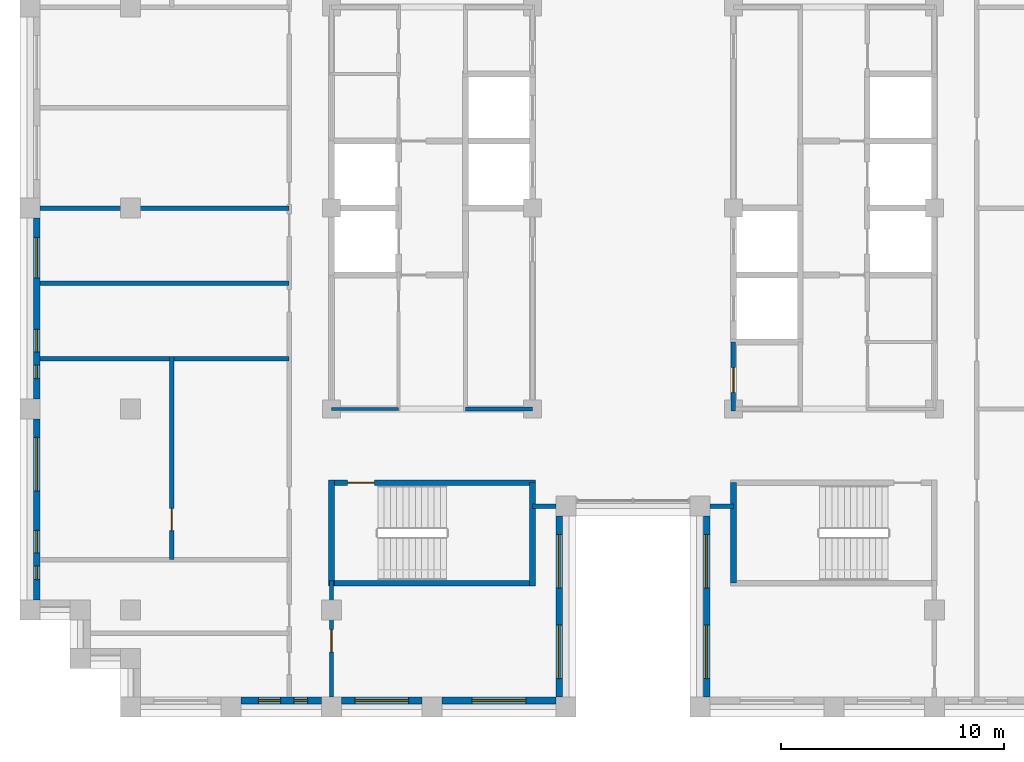
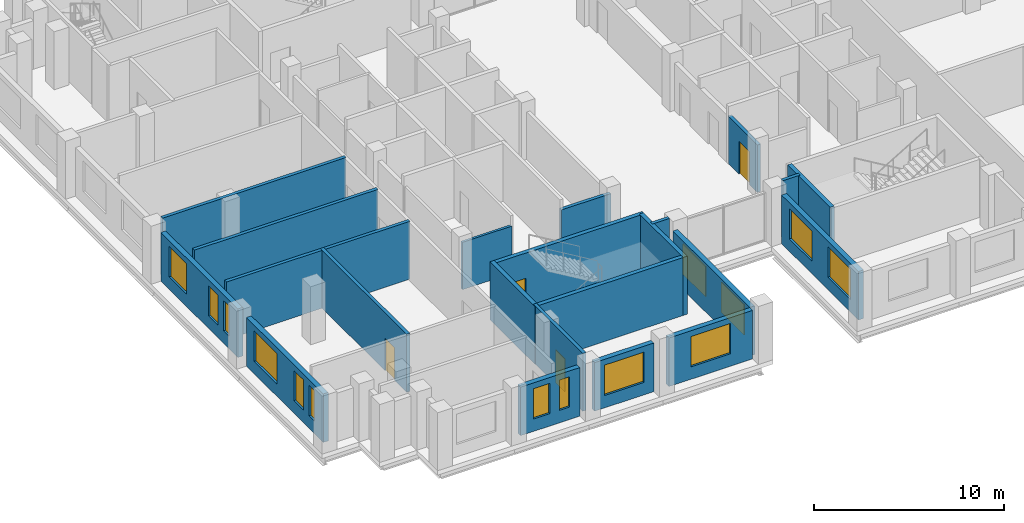
# One storey, part 6 of 13: 22 walls, 14 windows, 4 doors, 18 openings.
"""IFC4 building model written with IfcOpenShell, lengths in metres."""

from ifc_helpers import new_model, si_unit, direction, frame, frame_2d, origin, place, context, subcontext, project, spatial, rectangle, extrude, material, layer, layer_set, type_object, element, fill, save


model = new_model("IFC4")

# Units and contexts
model_context = context("Model", 3, precision=1e-05, world=origin(), true_north=direction((0.0, 1.0)))
body_context = subcontext(model_context, "Body", "Model", "MODEL_VIEW")
ifc_project = project(units=[si_unit("LENGTHUNIT", "METRE"), si_unit("AREAUNIT", "SQUARE_METRE"), si_unit("VOLUMEUNIT", "CUBIC_METRE"), si_unit("PLANEANGLEUNIT", "RADIAN"), si_unit("MASSUNIT", "GRAM", prefix="KILO")], contexts=[model_context])

# Site, building, storey
site_placement = place(None, origin())
site = spatial("IfcSite", under=ifc_project, at=site_placement, CompositionType="ELEMENT")
building_placement = place(site_placement, origin())
building = spatial("IfcBuilding", under=site, at=building_placement, Name="Corbelhall Arena Tower", CompositionType="ELEMENT")
storey_placement = place(building_placement, frame((0.0, 0.0, 282.0)))
storey = spatial("IfcBuildingStorey", under=building, at=storey_placement, Name="L61", CompositionType="ELEMENT", Elevation=282.0)

# Wall, openings, windows
ifc_material_1 = material(Name="Precast concrete C40/50 with granite facing", Category="masonry")
ifc_layer_1 = layer(ifc_material_1, 0.300048828125)
ifc_layer_set_1 = layer_set([ifc_layer_1], Name="EV-IW1 Infill panel 300")
wall_type_1 = type_object("IfcWallType", Name="EV-IW1 Infill panel 300", PredefinedType="SOLIDWALL", material=ifc_layer_set_1)
wall_1_placement = place(storey_placement, frame((-26.699951171875, -0.449951171875, 0.0), z_axis=(0.0, 0.0, 1.0), x_axis=(0.0, -1.0, 0.0)))
wall_1 = element("IfcWall", 1, at=wall_1_placement, inside=storey, type_object=wall_type_1, Name="Infill panel IW1", PredefinedType="SOLIDWALL", context=body_context, shape_type="SweptSolid", body=[
    extrude(rectangle(XDim=8.10009765625, YDim=0.300048828125, at=frame_2d((4.050048828125, 0.0))), origin(), (0.0, 0.0, 1.0), 3.1201171875),
])
opening_1_placement = place(wall_1_placement, frame((0.875, 0.0, 0.800048828125)))
opening_1 = element("IfcOpeningElement", 2, at=opening_1_placement, cuts=wall_1, Name="Opening WN8", PredefinedType="OPENING", context=body_context, shape_type="SweptSolid", body=[
    extrude(rectangle(XDim=1.800048828125, YDim=1.949951171875, at=frame_2d((0.89990234375, 0.97509765625))), frame((0.0, 0.14990234375, 0.0), z_axis=(0.0, -1.0, 0.0), x_axis=(1.0, 0.0, 0.0)), (0.0, 0.0, 1.0), 0.300048828125),
])
opening_2_placement = place(wall_1_placement, frame((4.987548828125, 0.0, 0.800048828125)))
opening_2 = element("IfcOpeningElement", 3, at=opening_2_placement, cuts=wall_1, Name="Opening WN6", PredefinedType="OPENING", context=body_context, shape_type="SweptSolid", body=[
    extrude(rectangle(XDim=1.0, YDim=1.949951171875, at=frame_2d((0.5, 0.97509765625))), frame((0.0, 0.14990234375, 0.0), z_axis=(0.0, -1.0, 0.0), x_axis=(1.0, 0.0, 0.0)), (0.0, 0.0, 1.0), 0.300048828125),
])
opening_3_placement = place(wall_1_placement, frame((6.58740234375, 0.0, 0.800048828125)))
opening_3 = element("IfcOpeningElement", 4, at=opening_3_placement, cuts=wall_1, Name="Opening WN5", PredefinedType="OPENING", context=body_context, shape_type="SweptSolid", body=[
    extrude(rectangle(XDim=0.60009765625, YDim=1.949951171875, at=frame_2d((0.300048828125, 0.97509765625))), frame((0.0, 0.14990234375, 0.0), z_axis=(0.0, -1.0, 0.0), x_axis=(1.0, 0.0, 0.0)), (0.0, 0.0, 1.0), 0.300048828125),
])
ifc_material_2 = material(Name="Aluminium black anodised", Category="aluminium")
window_type_1 = type_object("IfcWindowType", Name="EV-WN5 Office window 600", PartitioningType="SINGLE_PANEL", PredefinedType="WINDOW", material=ifc_material_2)
window_1_placement = place(opening_3_placement, origin())
window_1 = element("IfcWindow", 5, at=window_1_placement, inside=storey, type_object=window_type_1, Name="Window WN5", OverallHeight=1.949951171875, OverallWidth=0.60009765625, PartitioningType="SINGLE_PANEL", PredefinedType="WINDOW", context=body_context, shape_type="SweptSolid", body=[
    extrude(rectangle(XDim=0.60009765625, YDim=1.949951171875, at=frame_2d((0.300048828125, 0.97509765625))), frame((0.0, 0.030029296875, 0.0), z_axis=(0.0, -1.0, 0.0), x_axis=(1.0, 0.0, 0.0)), (0.0, 0.0, 1.0), 0.06005859375),
])
fill(opening_3, window_1)
window_type_2 = type_object("IfcWindowType", Name="EV-WN6 Office window 1000", PartitioningType="SINGLE_PANEL", PredefinedType="WINDOW", material=ifc_material_2)
window_2_placement = place(opening_2_placement, origin())
window_2 = element("IfcWindow", 6, at=window_2_placement, inside=storey, type_object=window_type_2, Name="Window WN6", OverallHeight=1.949951171875, OverallWidth=1.0, PartitioningType="SINGLE_PANEL", PredefinedType="WINDOW", context=body_context, shape_type="SweptSolid", body=[
    extrude(rectangle(XDim=1.0, YDim=1.949951171875, at=frame_2d((0.5, 0.97509765625))), frame((0.0, 0.030029296875, 0.0), z_axis=(0.0, -1.0, 0.0), x_axis=(1.0, 0.0, 0.0)), (0.0, 0.0, 1.0), 0.06005859375),
])
fill(opening_2, window_2)
window_type_3 = type_object("IfcWindowType", Name="EV-WN8 Office window 1800", PartitioningType="SINGLE_PANEL", PredefinedType="WINDOW", material=ifc_material_2)
window_3_placement = place(opening_1_placement, origin())
window_3 = element("IfcWindow", 7, at=window_3_placement, inside=storey, type_object=window_type_3, Name="Window WN8", OverallHeight=1.949951171875, OverallWidth=1.800048828125, PartitioningType="SINGLE_PANEL", PredefinedType="WINDOW", context=body_context, shape_type="SweptSolid", body=[
    extrude(rectangle(XDim=1.800048828125, YDim=1.949951171875, at=frame_2d((0.89990234375, 0.97509765625))), frame((0.0, 0.030029296875, 0.0), z_axis=(0.0, -1.0, 0.0), x_axis=(1.0, 0.0, 0.0)), (0.0, 0.0, 1.0), 0.06005859375),
])
fill(opening_1, window_3)

wall_2_placement = place(storey_placement, frame((-26.699951171875, -9.449951171875, 0.0), z_axis=(0.0, 0.0, 1.0), x_axis=(0.0, -1.0, 0.0)))
wall_2 = element("IfcWall", 8, at=wall_2_placement, inside=storey, type_object=wall_type_1, Name="Infill panel IW1", PredefinedType="SOLIDWALL", context=body_context, shape_type="SweptSolid", body=[
    extrude(rectangle(XDim=8.10009765625, YDim=0.300048828125, at=frame_2d((4.050048828125, 0.0))), origin(), (0.0, 0.0, 1.0), 3.1201171875),
])
opening_4_placement = place(wall_2_placement, frame((0.824951171875, 0.0, 0.800048828125)))
opening_4 = element("IfcOpeningElement", 9, at=opening_4_placement, cuts=wall_2, Name="Opening WN1", PredefinedType="OPENING", context=body_context, shape_type="SweptSolid", body=[
    extrude(rectangle(XDim=2.39990234375, YDim=1.949951171875, at=frame_2d((1.199951171875, 0.97509765625))), frame((0.0, 0.14990234375, 0.0), z_axis=(0.0, -1.0, 0.0), x_axis=(1.0, 0.0, 0.0)), (0.0, 0.0, 1.0), 0.300048828125),
])
opening_5_placement = place(wall_2_placement, frame((4.987548828125, 0.0, 0.800048828125)))
opening_5 = element("IfcOpeningElement", 10, at=opening_5_placement, cuts=wall_2, Name="Opening WN6", PredefinedType="OPENING", context=body_context, shape_type="SweptSolid", body=[
    extrude(rectangle(XDim=1.0, YDim=1.949951171875, at=frame_2d((0.5, 0.97509765625))), frame((0.0, 0.14990234375, 0.0), z_axis=(0.0, -1.0, 0.0), x_axis=(1.0, 0.0, 0.0)), (0.0, 0.0, 1.0), 0.300048828125),
])
opening_6_placement = place(wall_2_placement, frame((6.58740234375, 0.0, 0.800048828125)))
opening_6 = element("IfcOpeningElement", 11, at=opening_6_placement, cuts=wall_2, Name="Opening WN5", PredefinedType="OPENING", context=body_context, shape_type="SweptSolid", body=[
    extrude(rectangle(XDim=0.60009765625, YDim=1.949951171875, at=frame_2d((0.300048828125, 0.97509765625))), frame((0.0, 0.14990234375, 0.0), z_axis=(0.0, -1.0, 0.0), x_axis=(1.0, 0.0, 0.0)), (0.0, 0.0, 1.0), 0.300048828125),
])
window_type_4 = type_object("IfcWindowType", Name="EV-WN1 Office window", PartitioningType="SINGLE_PANEL", PredefinedType="WINDOW", material=ifc_material_2)
window_4_placement = place(opening_4_placement, origin())
window_4 = element("IfcWindow", 12, at=window_4_placement, inside=storey, type_object=window_type_4, Name="Window WN1", OverallHeight=1.949951171875, OverallWidth=2.39990234375, PartitioningType="SINGLE_PANEL", PredefinedType="WINDOW", context=body_context, shape_type="SweptSolid", body=[
    extrude(rectangle(XDim=2.39990234375, YDim=1.949951171875, at=frame_2d((1.199951171875, 0.97509765625))), frame((0.0, 0.030029296875, 0.0), z_axis=(0.0, -1.0, 0.0), x_axis=(1.0, 0.0, 0.0)), (0.0, 0.0, 1.0), 0.06005859375),
])
fill(opening_4, window_4)
window_5_placement = place(opening_6_placement, origin())
window_5 = element("IfcWindow", 13, at=window_5_placement, inside=storey, type_object=window_type_1, Name="Window WN5", OverallHeight=1.949951171875, OverallWidth=0.60009765625, PartitioningType="SINGLE_PANEL", PredefinedType="WINDOW", context=body_context, shape_type="SweptSolid", body=[
    extrude(rectangle(XDim=0.60009765625, YDim=1.949951171875, at=frame_2d((0.300048828125, 0.97509765625))), frame((0.0, 0.030029296875, 0.0), z_axis=(0.0, -1.0, 0.0), x_axis=(1.0, 0.0, 0.0)), (0.0, 0.0, 1.0), 0.06005859375),
])
fill(opening_6, window_5)
window_6_placement = place(opening_5_placement, origin())
window_6 = element("IfcWindow", 14, at=window_6_placement, inside=storey, type_object=window_type_2, Name="Window WN6", OverallHeight=1.949951171875, OverallWidth=1.0, PartitioningType="SINGLE_PANEL", PredefinedType="WINDOW", context=body_context, shape_type="SweptSolid", body=[
    extrude(rectangle(XDim=1.0, YDim=1.949951171875, at=frame_2d((0.5, 0.97509765625))), frame((0.0, 0.030029296875, 0.0), z_axis=(0.0, -1.0, 0.0), x_axis=(1.0, 0.0, 0.0)), (0.0, 0.0, 1.0), 0.06005859375),
])
fill(opening_5, window_6)

wall_3_placement = place(storey_placement, frame((-17.550048828125, -22.050048828125, 0.0), z_axis=(0.0, 0.0, 1.0), x_axis=(1.0, 0.0, 0.0)))
wall_3 = element("IfcWall", 15, at=wall_3_placement, inside=storey, type_object=wall_type_1, Name="Infill panel IW1", PredefinedType="SOLIDWALL", context=body_context, shape_type="SweptSolid", body=[
    extrude(rectangle(XDim=3.60009765625, YDim=0.300048828125, at=frame_2d((1.800048828125, 0.0))), origin(), (0.0, 0.0, 1.0), 3.1201171875),
])
opening_7_placement = place(wall_3_placement, frame((0.77490234375, 0.0, 0.800048828125)))
opening_7 = element("IfcOpeningElement", 16, at=opening_7_placement, cuts=wall_3, Name="Opening WN6", PredefinedType="OPENING", context=body_context, shape_type="SweptSolid", body=[
    extrude(rectangle(XDim=1.0, YDim=1.949951171875, at=frame_2d((0.5, 0.97509765625))), frame((0.0, 0.14990234375, 0.0), z_axis=(0.0, -1.0, 0.0), x_axis=(1.0, 0.0, 0.0)), (0.0, 0.0, 1.0), 0.300048828125),
])
opening_8_placement = place(wall_3_placement, frame((2.375, 0.0, 0.800048828125)))
opening_8 = element("IfcOpeningElement", 17, at=opening_8_placement, cuts=wall_3, Name="Opening WN5", PredefinedType="OPENING", context=body_context, shape_type="SweptSolid", body=[
    extrude(rectangle(XDim=0.60009765625, YDim=1.949951171875, at=frame_2d((0.300048828125, 0.97509765625))), frame((0.0, 0.14990234375, 0.0), z_axis=(0.0, -1.0, 0.0), x_axis=(1.0, 0.0, 0.0)), (0.0, 0.0, 1.0), 0.300048828125),
])
window_7_placement = place(opening_8_placement, origin())
window_7 = element("IfcWindow", 18, at=window_7_placement, inside=storey, type_object=window_type_1, Name="Window WN5", OverallHeight=1.949951171875, OverallWidth=0.60009765625, PartitioningType="SINGLE_PANEL", PredefinedType="WINDOW", context=body_context, shape_type="SweptSolid", body=[
    extrude(rectangle(XDim=0.60009765625, YDim=1.949951171875, at=frame_2d((0.300048828125, 0.97509765625))), frame((0.0, 0.030029296875, 0.0), z_axis=(0.0, -1.0, 0.0), x_axis=(1.0, 0.0, 0.0)), (0.0, 0.0, 1.0), 0.06005859375),
])
fill(opening_8, window_7)
window_8_placement = place(opening_7_placement, origin())
window_8 = element("IfcWindow", 19, at=window_8_placement, inside=storey, type_object=window_type_2, Name="Window WN6", OverallHeight=1.949951171875, OverallWidth=1.0, PartitioningType="SINGLE_PANEL", PredefinedType="WINDOW", context=body_context, shape_type="SweptSolid", body=[
    extrude(rectangle(XDim=1.0, YDim=1.949951171875, at=frame_2d((0.5, 0.97509765625))), frame((0.0, 0.030029296875, 0.0), z_axis=(0.0, -1.0, 0.0), x_axis=(1.0, 0.0, 0.0)), (0.0, 0.0, 1.0), 0.06005859375),
])
fill(opening_7, window_8)

# Wall, opening, window
wall_4_placement = place(storey_placement, frame((-13.050048828125, -22.050048828125, 0.0), z_axis=(0.0, 0.0, 1.0), x_axis=(1.0, 0.0, 0.0)))
wall_4 = element("IfcWall", 20, at=wall_4_placement, inside=storey, type_object=wall_type_1, Name="Infill panel IW1", PredefinedType="SOLIDWALL", context=body_context, shape_type="SweptSolid", body=[
    extrude(rectangle(XDim=3.60009765625, YDim=0.300048828125, at=frame_2d((1.800048828125, 0.0))), origin(), (0.0, 0.0, 1.0), 3.1201171875),
])
opening_9_placement = place(wall_4_placement, frame((0.60009765625, 0.0, 0.800048828125)))
opening_9 = element("IfcOpeningElement", 21, at=opening_9_placement, cuts=wall_4, Name="Opening WN1", PredefinedType="OPENING", context=body_context, shape_type="SweptSolid", body=[
    extrude(rectangle(XDim=2.39990234375, YDim=1.949951171875, at=frame_2d((1.199951171875, 0.97509765625))), frame((0.0, 0.14990234375, 0.0), z_axis=(0.0, -1.0, 0.0), x_axis=(1.0, 0.0, 0.0)), (0.0, 0.0, 1.0), 0.300048828125),
])
window_9_placement = place(opening_9_placement, origin())
window_9 = element("IfcWindow", 22, at=window_9_placement, inside=storey, type_object=window_type_4, Name="Window WN1", OverallHeight=1.949951171875, OverallWidth=2.39990234375, PartitioningType="SINGLE_PANEL", PredefinedType="WINDOW", context=body_context, shape_type="SweptSolid", body=[
    extrude(rectangle(XDim=2.39990234375, YDim=1.949951171875, at=frame_2d((1.199951171875, 0.97509765625))), frame((0.0, 0.030029296875, 0.0), z_axis=(0.0, -1.0, 0.0), x_axis=(1.0, 0.0, 0.0)), (0.0, 0.0, 1.0), 0.06005859375),
])
fill(opening_9, window_9)

wall_5_placement = place(storey_placement, frame((-8.550048828125, -22.050048828125, 0.0), z_axis=(0.0, 0.0, 1.0), x_axis=(1.0, 0.0, 0.0)))
wall_5 = element("IfcWall", 23, at=wall_5_placement, inside=storey, type_object=wall_type_1, Name="Infill panel IW1", PredefinedType="SOLIDWALL", context=body_context, shape_type="SweptSolid", body=[
    extrude(rectangle(XDim=5.10009765625, YDim=0.300048828125, at=frame_2d((2.550048828125, 0.0))), origin(), (0.0, 0.0, 1.0), 3.1201171875),
])
opening_10_placement = place(wall_5_placement, frame((1.35009765625, 0.0, 0.800048828125)))
opening_10 = element("IfcOpeningElement", 24, at=opening_10_placement, cuts=wall_5, Name="Opening WN1", PredefinedType="OPENING", context=body_context, shape_type="SweptSolid", body=[
    extrude(rectangle(XDim=2.39990234375, YDim=1.949951171875, at=frame_2d((1.199951171875, 0.97509765625))), frame((0.0, 0.14990234375, 0.0), z_axis=(0.0, -1.0, 0.0), x_axis=(1.0, 0.0, 0.0)), (0.0, 0.0, 1.0), 0.300048828125),
])
window_10_placement = place(opening_10_placement, origin())
window_10 = element("IfcWindow", 25, at=window_10_placement, inside=storey, type_object=window_type_4, Name="Window WN1", OverallHeight=1.949951171875, OverallWidth=2.39990234375, PartitioningType="SINGLE_PANEL", PredefinedType="WINDOW", context=body_context, shape_type="SweptSolid", body=[
    extrude(rectangle(XDim=2.39990234375, YDim=1.949951171875, at=frame_2d((1.199951171875, 0.97509765625))), frame((0.0, 0.030029296875, 0.0), z_axis=(0.0, -1.0, 0.0), x_axis=(1.0, 0.0, 0.0)), (0.0, 0.0, 1.0), 0.06005859375),
])
fill(opening_10, window_10)

# Wall, openings, windows
wall_6_placement = place(storey_placement, frame((-3.300048828125, -21.89990234375, 0.0), z_axis=(0.0, 0.0, 1.0), x_axis=(0.0, 1.0, 0.0)))
wall_6 = element("IfcWall", 26, at=wall_6_placement, inside=storey, type_object=wall_type_1, Name="Infill panel IW1", PredefinedType="SOLIDWALL", context=body_context, shape_type="SweptSolid", body=[
    extrude(rectangle(XDim=8.099853515625, YDim=0.300048828125, at=frame_2d((4.0498046875, 0.0))), origin(), (0.0, 0.0, 1.0), 3.1201171875),
])
opening_11_placement = place(wall_6_placement, frame((0.824951171875, 0.0, 0.800048828125)))
opening_11 = element("IfcOpeningElement", 27, at=opening_11_placement, cuts=wall_6, Name="Opening WN1", PredefinedType="OPENING", context=body_context, shape_type="SweptSolid", body=[
    extrude(rectangle(XDim=2.39990234375, YDim=1.949951171875, at=frame_2d((1.199951171875, 0.97509765625))), frame((0.0, 0.14990234375, 0.0), z_axis=(0.0, -1.0, 0.0), x_axis=(1.0, 0.0, 0.0)), (0.0, 0.0, 1.0), 0.300048828125),
])
opening_12_placement = place(wall_6_placement, frame((4.875, 0.0, 0.800048828125)))
opening_12 = element("IfcOpeningElement", 28, at=opening_12_placement, cuts=wall_6, Name="Opening WN1", PredefinedType="OPENING", context=body_context, shape_type="SweptSolid", body=[
    extrude(rectangle(XDim=2.39990234375, YDim=1.949951171875, at=frame_2d((1.199951171875, 0.97509765625))), frame((0.0, 0.14990234375, 0.0), z_axis=(0.0, -1.0, 0.0), x_axis=(1.0, 0.0, 0.0)), (0.0, 0.0, 1.0), 0.300048828125),
])
window_11_placement = place(opening_11_placement, origin())
window_11 = element("IfcWindow", 29, at=window_11_placement, inside=storey, type_object=window_type_4, Name="Window WN1", OverallHeight=1.949951171875, OverallWidth=2.39990234375, PartitioningType="SINGLE_PANEL", PredefinedType="WINDOW", context=body_context, shape_type="SweptSolid", body=[
    extrude(rectangle(XDim=2.39990234375, YDim=1.949951171875, at=frame_2d((1.199951171875, 0.97509765625))), frame((0.0, 0.030029296875, 0.0), z_axis=(0.0, -1.0, 0.0), x_axis=(1.0, 0.0, 0.0)), (0.0, 0.0, 1.0), 0.06005859375),
])
fill(opening_11, window_11)
window_12_placement = place(opening_12_placement, origin())
window_12 = element("IfcWindow", 30, at=window_12_placement, inside=storey, type_object=window_type_4, Name="Window WN1", OverallHeight=1.949951171875, OverallWidth=2.39990234375, PartitioningType="SINGLE_PANEL", PredefinedType="WINDOW", context=body_context, shape_type="SweptSolid", body=[
    extrude(rectangle(XDim=2.39990234375, YDim=1.949951171875, at=frame_2d((1.199951171875, 0.97509765625))), frame((0.0, 0.030029296875, 0.0), z_axis=(0.0, -1.0, 0.0), x_axis=(1.0, 0.0, 0.0)), (0.0, 0.0, 1.0), 0.06005859375),
])
fill(opening_12, window_12)

wall_7_placement = place(storey_placement, frame((3.300048828125, -13.800048828125, 0.0), z_axis=(0.0, 0.0, 1.0), x_axis=(0.0, -1.0, 0.0)))
wall_7 = element("IfcWall", 31, at=wall_7_placement, inside=storey, type_object=wall_type_1, Name="Infill panel IW1", PredefinedType="SOLIDWALL", context=body_context, shape_type="SweptSolid", body=[
    extrude(rectangle(XDim=8.099853515625, YDim=0.300048828125, at=frame_2d((4.0498046875, 0.0))), origin(), (0.0, 0.0, 1.0), 3.1201171875),
])
opening_13_placement = place(wall_7_placement, frame((0.824951171875, 0.0, 0.800048828125)))
opening_13 = element("IfcOpeningElement", 32, at=opening_13_placement, cuts=wall_7, Name="Opening WN1", PredefinedType="OPENING", context=body_context, shape_type="SweptSolid", body=[
    extrude(rectangle(XDim=2.39990234375, YDim=1.949951171875, at=frame_2d((1.199951171875, 0.97509765625))), frame((0.0, 0.14990234375, 0.0), z_axis=(0.0, -1.0, 0.0), x_axis=(1.0, 0.0, 0.0)), (0.0, 0.0, 1.0), 0.300048828125),
])
opening_14_placement = place(wall_7_placement, frame((4.875, 0.0, 0.800048828125)))
opening_14 = element("IfcOpeningElement", 33, at=opening_14_placement, cuts=wall_7, Name="Opening WN1", PredefinedType="OPENING", context=body_context, shape_type="SweptSolid", body=[
    extrude(rectangle(XDim=2.39990234375, YDim=1.949951171875, at=frame_2d((1.199951171875, 0.97509765625))), frame((0.0, 0.14990234375, 0.0), z_axis=(0.0, -1.0, 0.0), x_axis=(1.0, 0.0, 0.0)), (0.0, 0.0, 1.0), 0.300048828125),
])
window_13_placement = place(opening_13_placement, origin())
window_13 = element("IfcWindow", 34, at=window_13_placement, inside=storey, type_object=window_type_4, Name="Window WN1", OverallHeight=1.949951171875, OverallWidth=2.39990234375, PartitioningType="SINGLE_PANEL", PredefinedType="WINDOW", context=body_context, shape_type="SweptSolid", body=[
    extrude(rectangle(XDim=2.39990234375, YDim=1.949951171875, at=frame_2d((1.199951171875, 0.97509765625))), frame((0.0, 0.030029296875, 0.0), z_axis=(0.0, -1.0, 0.0), x_axis=(1.0, 0.0, 0.0)), (0.0, 0.0, 1.0), 0.06005859375),
])
fill(opening_13, window_13)
window_14_placement = place(opening_14_placement, origin())
window_14 = element("IfcWindow", 35, at=window_14_placement, inside=storey, type_object=window_type_4, Name="Window WN1", OverallHeight=1.949951171875, OverallWidth=2.39990234375, PartitioningType="SINGLE_PANEL", PredefinedType="WINDOW", context=body_context, shape_type="SweptSolid", body=[
    extrude(rectangle(XDim=2.39990234375, YDim=1.949951171875, at=frame_2d((1.199951171875, 0.97509765625))), frame((0.0, 0.030029296875, 0.0), z_axis=(0.0, -1.0, 0.0), x_axis=(1.0, 0.0, 0.0)), (0.0, 0.0, 1.0), 0.06005859375),
])
fill(opening_14, window_14)

# Walls
ifc_material_3 = material(Name="Gypsum board on steel stud, acoustic", Category="steel")
ifc_layer_2 = layer(ifc_material_3, 0.199951171875)
ifc_layer_set_2 = layer_set([ifc_layer_2], Name="IN-W-DM200")
wall_type_2 = type_object("IfcWallType", Name="IN-W-DM200", PredefinedType="PARTITIONING", material=ifc_layer_set_2)
for number, where, z_axis, x_axis, name in (
    (36, (-26.550048828125, -6.75, 0.0), (0.0, 0.0, 1.0), (1.0, 0.0, 0.0), "Partition 002"),
    (37, (-26.550048828125, -3.375, 0.0), (0.0, 0.0, 1.0), (1.0, 0.0, 0.0), "Partition 003"),
):
    element("IfcWall", number, at=place(storey_placement, frame(where, z_axis=z_axis, x_axis=x_axis)), inside=storey, type_object=wall_type_2, Name=name, PredefinedType="PARTITIONING", context=body_context, shape_type="SweptSolid", body=[
        extrude(rectangle(XDim=11.150146484375, YDim=0.199951171875, at=frame_2d((5.5751953125, 0.0))), origin(), (0.0, 0.0, 1.0), 3.719970703125),
    ])

# Wall, opening, door
wall_8_placement = place(storey_placement, frame((-20.64990234375, -15.75, 0.0), z_axis=(0.0, 0.0, 1.0), x_axis=(0.0, 1.0, 0.0)))
wall_8 = element("IfcWall", 38, at=wall_8_placement, inside=storey, type_object=wall_type_2, Name="Partition 008", PredefinedType="PARTITIONING", context=body_context, shape_type="SweptSolid", body=[
    extrude(rectangle(XDim=9.10009765625, YDim=0.199951171875, at=frame_2d((4.550048828125, 0.0))), origin(), (0.0, 0.0, 1.0), 3.719970703125),
])
opening_15_placement = place(wall_8_placement, frame((1.300048828125, 0.0, 0.0)))
opening_15 = element("IfcOpeningElement", 39, at=opening_15_placement, cuts=wall_8, Name="Opening 19029", PredefinedType="OPENING", context=body_context, shape_type="SweptSolid", body=[
    extrude(rectangle(XDim=1.0, YDim=2.10009765625, at=frame_2d((0.5, 1.050048828125))), frame((0.0, 0.10009765625, 0.0), z_axis=(0.0, -1.0, 0.0), x_axis=(1.0, 0.0, 0.0)), (0.0, 0.0, 1.0), 0.199951171875),
])
ifc_material_4 = material(Name="Steel door set", Category="steel")
door_type_1 = type_object("IfcDoorType", Name="IN-D-SW100", OperationType="NOTDEFINED", PredefinedType="DOOR", material=ifc_material_4)
door_1_placement = place(opening_15_placement, origin())
door_1 = element("IfcDoor", 40, at=door_1_placement, inside=storey, type_object=door_type_1, Name="Door 029", OperationType="SINGLE_SWING_RIGHT", OverallHeight=2.10009765625, OverallWidth=1.0, PredefinedType="DOOR", context=body_context, shape_type="SweptSolid", body=[
    extrude(rectangle(XDim=1.0, YDim=2.10009765625, at=frame_2d((0.5, 1.050048828125))), frame((0.0, 0.02490234375, 0.0), z_axis=(0.0, -1.0, 0.0), x_axis=(1.0, 0.0, 0.0)), (0.0, 0.0, 1.0), 0.050048828125),
])
fill(opening_15, door_1)

# Wall
wall_9_placement = place(storey_placement, frame((-15.39990234375, 0.0, 0.0), z_axis=(0.0, 0.0, 1.0), x_axis=(-1.0, 0.0, 0.0)))
element("IfcWall", 41, at=wall_9_placement, inside=storey, type_object=wall_type_2, Name="Partition 012", PredefinedType="PARTITIONING", context=body_context, shape_type="SweptSolid", body=[
    extrude(rectangle(XDim=11.150146484375, YDim=0.199951171875, at=frame_2d((5.5751953125, 0.0))), origin(), (0.0, 0.0, 1.0), 3.719970703125),
])

# Wall, opening, door
wall_10_placement = place(storey_placement, frame((-13.5, -16.675048828125, 0.0), z_axis=(0.0, 0.0, 1.0), x_axis=(0.0, -1.0, 0.0)))
wall_10 = element("IfcWall", 42, at=wall_10_placement, inside=storey, type_object=wall_type_2, Name="Partition 013", PredefinedType="PARTITIONING", context=body_context, shape_type="SweptSolid", body=[
    extrude(rectangle(XDim=5.224853515625, YDim=0.199951171875, at=frame_2d((2.6123046875, 0.0))), origin(), (0.0, 0.0, 1.0), 3.719970703125),
])
opening_16_placement = place(wall_10_placement, frame((2.199951171875, 0.0, 0.0)))
opening_16 = element("IfcOpeningElement", 43, at=opening_16_placement, cuts=wall_10, Name="Opening 19020", PredefinedType="OPENING", context=body_context, shape_type="SweptSolid", body=[
    extrude(rectangle(XDim=1.0, YDim=2.10009765625, at=frame_2d((0.5, 1.050048828125))), frame((0.0, 0.10009765625, 0.0), z_axis=(0.0, -1.0, 0.0), x_axis=(1.0, 0.0, 0.0)), (0.0, 0.0, 1.0), 0.199951171875),
])
door_2_placement = place(opening_16_placement, origin())
door_2 = element("IfcDoor", 44, at=door_2_placement, inside=storey, type_object=door_type_1, Name="Door 020", OperationType="SINGLE_SWING_LEFT", OverallHeight=2.10009765625, OverallWidth=1.0, PredefinedType="DOOR", context=body_context, shape_type="SweptSolid", body=[
    extrude(rectangle(XDim=1.0, YDim=2.10009765625, at=frame_2d((0.5, 1.050048828125))), frame((0.0, 0.02490234375, 0.0), z_axis=(0.0, -1.0, 0.0), x_axis=(1.0, 0.0, 0.0)), (0.0, 0.0, 1.0), 0.050048828125),
])
fill(opening_16, door_2)

# Walls
for number, where, z_axis, x_axis, name in (
    (45, (-3.449951171875, -13.35009765625, 0.0), (0.0, 0.0, 1.0), (-1.0, 0.0, 0.0), "Partition 014"),
    (46, (4.5, -13.35009765625, 0.0), (0.0, 0.0, 1.0), (-1.0, 0.0, 0.0), "Partition 016"),
):
    element("IfcWall", number, at=place(storey_placement, frame(where, z_axis=z_axis, x_axis=x_axis)), inside=storey, type_object=wall_type_2, Name=name, PredefinedType="PARTITIONING", context=body_context, shape_type="SweptSolid", body=[
        extrude(rectangle(XDim=1.050048828125, YDim=0.199951171875, at=frame_2d((0.52490234375, 0.0))), origin(), (0.0, 0.0, 1.0), 3.719970703125),
    ])
ifc_material_5 = material(Name="Concrete block wall", Category="concrete")
ifc_layer_3 = layer(ifc_material_5, 0.199951171875)
ifc_layer_set_3 = layer_set([ifc_layer_3], Name="IN-W-RS200 under beam 678 mm")
wall_type_3 = type_object("IfcWallType", Name="IN-W-RS200 under beam 678 mm", PredefinedType="SOLIDWALL", material=ifc_layer_set_3)
wall_11_placement = place(storey_placement, frame((-4.5, -9.0, 0.0), z_axis=(0.0, 0.0, 1.0), x_axis=(-1.0, 0.0, 0.0)))
element("IfcWall", 47, at=wall_11_placement, inside=storey, type_object=wall_type_3, Name="Partition 032", PredefinedType="SOLIDWALL", context=body_context, shape_type="SweptSolid", body=[
    extrude(rectangle(XDim=3.0, YDim=0.199951171875, at=frame_2d((1.5, 0.0))), origin(), (0.0, 0.0, 1.0), 3.041748046875),
])

# Wall, opening, door
wall_12_placement = place(storey_placement, frame((4.5, -9.10009765625, 0.0), z_axis=(0.0, 0.0, 1.0), x_axis=(0.0, 1.0, 0.0)))
wall_12 = element("IfcWall", 48, at=wall_12_placement, inside=storey, type_object=wall_type_3, Name="Partition 035", PredefinedType="SOLIDWALL", context=body_context, shape_type="SweptSolid", body=[
    extrude(rectangle(XDim=3.10009765625, YDim=0.199951171875, at=frame_2d((1.550048828125, 0.0))), origin(), (0.0, 0.0, 1.0), 3.041748046875),
])
opening_17_placement = place(wall_12_placement, frame((0.85009765625, 0.0, 0.0)))
opening_17 = element("IfcOpeningElement", 49, at=opening_17_placement, cuts=wall_12, Name="Opening 19008", PredefinedType="OPENING", context=body_context, shape_type="SweptSolid", body=[
    extrude(rectangle(XDim=1.10009765625, YDim=2.10009765625, at=frame_2d((0.550048828125, 1.050048828125))), frame((0.0, 0.10009765625, 0.0), z_axis=(0.0, -1.0, 0.0), x_axis=(1.0, 0.0, 0.0)), (0.0, 0.0, 1.0), 0.199951171875),
])
door_type_2 = type_object("IfcDoorType", Name="IN-D-FD110", OperationType="NOTDEFINED", PredefinedType="DOOR", material=ifc_material_4)
door_3_placement = place(opening_17_placement, origin())
door_3 = element("IfcDoor", 50, at=door_3_placement, inside=storey, type_object=door_type_2, Name="Door 008", OperationType="SINGLE_SWING_LEFT", OverallHeight=2.10009765625, OverallWidth=1.10009765625, PredefinedType="DOOR", context=body_context, shape_type="SweptSolid", body=[
    extrude(rectangle(XDim=1.10009765625, YDim=2.10009765625, at=frame_2d((0.550048828125, 1.050048828125))), frame((0.0, 0.02490234375, 0.0), z_axis=(0.0, -1.0, 0.0), x_axis=(1.0, 0.0, 0.0)), (0.0, 0.0, 1.0), 0.050048828125),
])
fill(opening_17, door_3)

# Walls
ifc_material_6 = material(Name="Concrete C40/50", Category="concrete")
ifc_layer_4 = layer(ifc_material_6, 0.25)
ifc_layer_set_4 = layer_set([ifc_layer_4], Name="IN-W-ST250")
wall_type_4 = type_object("IfcWallType", Name="IN-W-ST250", PredefinedType="SOLIDWALL", material=ifc_layer_set_4)
wall_13_placement = place(storey_placement, frame((-13.5, -12.175048828125, 0.0), z_axis=(0.0, 0.0, 1.0), x_axis=(0.0, -1.0, 0.0)))
element("IfcWall", 51, at=wall_13_placement, inside=storey, type_object=wall_type_4, Name="Shaft wall 065", PredefinedType="SOLIDWALL", context=body_context, shape_type="SweptSolid", body=[
    extrude(rectangle(XDim=4.75, YDim=0.25, at=frame_2d((2.375, 0.0))), origin(), (0.0, 0.0, 1.0), 3.719970703125),
])
wall_14_placement = place(storey_placement, frame((-4.5, -16.800048828125, 0.0), z_axis=(0.0, 0.0, 1.0), x_axis=(-1.0, 0.0, 0.0)))
element("IfcWall", 52, at=wall_14_placement, inside=storey, type_object=wall_type_4, Name="Shaft wall 069", PredefinedType="SOLIDWALL", context=body_context, shape_type="SweptSolid", body=[
    extrude(rectangle(XDim=9.0, YDim=0.25, at=frame_2d((4.5, 0.0))), origin(), (0.0, 0.0, 1.0), 3.719970703125),
])
wall_15_placement = place(storey_placement, frame((-4.5, -12.300048828125, 0.0), z_axis=(0.0, 0.0, 1.0), x_axis=(0.0, -1.0, 0.0)))
element("IfcWall", 53, at=wall_15_placement, inside=storey, type_object=wall_type_4, Name="Shaft wall 070", PredefinedType="SOLIDWALL", context=body_context, shape_type="SweptSolid", body=[
    extrude(rectangle(XDim=4.625, YDim=0.25, at=frame_2d((2.3125, 0.0))), origin(), (0.0, 0.0, 1.0), 3.719970703125),
])

# Wall, opening, door
wall_16_placement = place(storey_placement, frame((-4.375, -12.300048828125, 0.0), z_axis=(0.0, 0.0, 1.0), x_axis=(-1.0, 0.0, 0.0)))
wall_16 = element("IfcWall", 54, at=wall_16_placement, inside=storey, type_object=wall_type_4, Name="Shaft wall 073", PredefinedType="SOLIDWALL", context=body_context, shape_type="SweptSolid", body=[
    extrude(rectangle(XDim=9.125, YDim=0.25, at=frame_2d((4.5625, 0.0))), origin(), (0.0, 0.0, 1.0), 3.719970703125),
])
opening_18_placement = place(wall_16_placement, frame((7.199951171875, 0.0, 0.0)))
opening_18 = element("IfcOpeningElement", 55, at=opening_18_placement, cuts=wall_16, Name="Opening 19016", PredefinedType="OPENING", context=body_context, shape_type="SweptSolid", body=[
    extrude(rectangle(XDim=1.199951171875, YDim=2.10009765625, at=frame_2d((0.60009765625, 1.050048828125))), frame((0.0, 0.125, 0.0), z_axis=(0.0, -1.0, 0.0), x_axis=(1.0, 0.0, 0.0)), (0.0, 0.0, 1.0), 0.25),
])
door_type_3 = type_object("IfcDoorType", Name="IN-D-ST120", OperationType="NOTDEFINED", PredefinedType="DOOR", material=ifc_material_4)
door_4_placement = place(opening_18_placement, origin())
door_4 = element("IfcDoor", 56, at=door_4_placement, inside=storey, type_object=door_type_3, Name="Door 016", OperationType="SINGLE_SWING_LEFT", OverallHeight=2.10009765625, OverallWidth=1.199951171875, PredefinedType="DOOR", context=body_context, shape_type="SweptSolid", body=[
    extrude(rectangle(XDim=1.199951171875, YDim=2.10009765625, at=frame_2d((0.60009765625, 1.050048828125))), frame((0.0, 0.02490234375, 0.0), z_axis=(0.0, -1.0, 0.0), x_axis=(1.0, 0.0, 0.0)), (0.0, 0.0, 1.0), 0.050048828125),
])
fill(opening_18, door_4)

# Walls
wall_17_placement = place(storey_placement, frame((4.5, -16.800048828125, 0.0), z_axis=(0.0, 0.0, 1.0), x_axis=(0.0, 1.0, 0.0)))
element("IfcWall", 57, at=wall_17_placement, inside=storey, type_object=wall_type_4, Name="Shaft wall 076", PredefinedType="SOLIDWALL", context=body_context, shape_type="SweptSolid", body=[
    extrude(rectangle(XDim=4.5, YDim=0.25, at=frame_2d((2.25, 0.0))), origin(), (0.0, 0.0, 1.0), 3.719970703125),
])
ifc_material_7 = material(Name="Gypsum board on steel stud, moisture resistant", Category="steel")
ifc_layer_5 = layer(ifc_material_7, 0.14990234375)
ifc_layer_set_5 = layer_set([ifc_layer_5], Name="IN-W-WC150 under beam 678 mm")
wall_type_5 = type_object("IfcWallType", Name="IN-W-WC150 under beam 678 mm", PredefinedType="PARTITIONING", material=ifc_layer_set_5)
wall_18_placement = place(storey_placement, frame((-10.5, -9.0, 0.0), z_axis=(0.0, 0.0, 1.0), x_axis=(-1.0, 0.0, 0.0)))
element("IfcWall", 58, at=wall_18_placement, inside=storey, type_object=wall_type_5, Name="Partition 086", PredefinedType="PARTITIONING", context=body_context, shape_type="SweptSolid", body=[
    extrude(rectangle(XDim=3.0, YDim=0.14990234375, at=frame_2d((1.5, 0.0))), origin(), (0.0, 0.0, 1.0), 3.041748046875),
])

save(model, "model.ifc")
